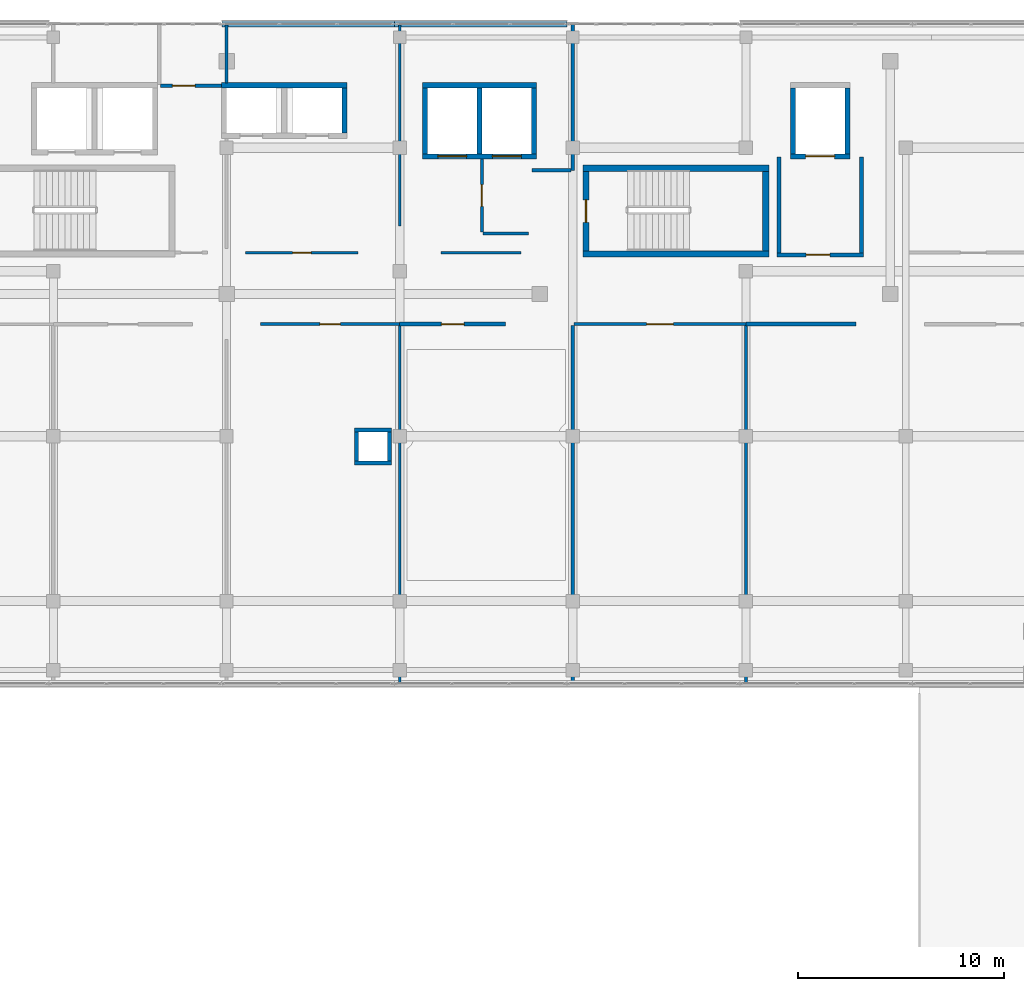
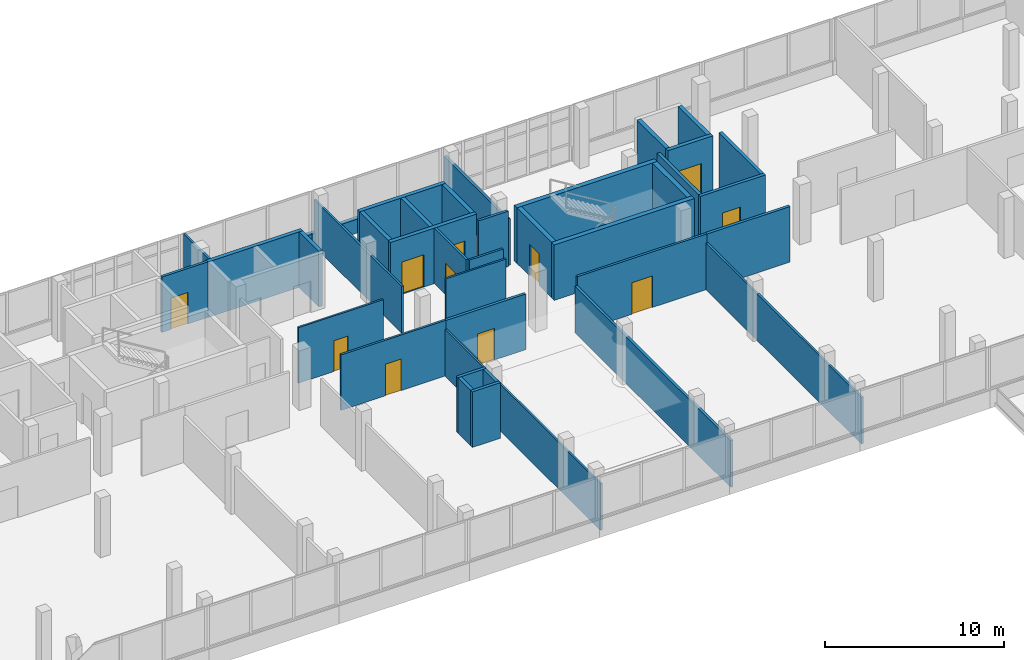
# One storey, part 69 of 76: 39 walls, 11 doors, 11 openings.
"""IFC4 building model written with IfcOpenShell, lengths in metres."""

from ifc_helpers import new_model, si_unit, direction, frame, frame_2d, origin, place, context, subcontext, project, spatial, rectangle, extrude, material, layer, layer_set, type_object, element, fill, save


model = new_model("IFC4")

# Units and contexts
model_context = context("Model", 3, precision=1e-05, world=origin(), true_north=direction((0.0, 1.0)))
body_context = subcontext(model_context, "Body", "Model", "MODEL_VIEW")
ifc_project = project(units=[si_unit("LENGTHUNIT", "METRE"), si_unit("AREAUNIT", "SQUARE_METRE"), si_unit("VOLUMEUNIT", "CUBIC_METRE"), si_unit("PLANEANGLEUNIT", "RADIAN"), si_unit("MASSUNIT", "GRAM", prefix="KILO")], contexts=[model_context])

# Site, building, storey
site_placement = place(None, origin())
site = spatial("IfcSite", under=ifc_project, at=site_placement, CompositionType="ELEMENT")
building_placement = place(site_placement, origin())
building = spatial("IfcBuilding", under=site, at=building_placement, Name="Selatvlak General Hospital", CompositionType="ELEMENT")
storey_placement = place(building_placement, frame((0.0, 0.0, 27.300048828125)))
storey = spatial("IfcBuildingStorey", under=building, at=storey_placement, Name="L06", CompositionType="ELEMENT", Elevation=27.300048828125)

# Walls
ifc_material_1 = material(Name="Precast concrete C40/50 - white Bauhaus spandrel", Category="concrete")
ifc_layer_1 = layer(ifc_material_1, 0.280029296875, Name="Precast concrete C40/50 - white Bauhaus spandrel", Category="concrete")
ifc_layer_set_1 = layer_set([ifc_layer_1], Name="Precast concrete C40/50 - white Bauhaus spandrel")
wall_type_1 = type_object("IfcWallType", Name="WALL-EW-02", PredefinedType="SOLIDWALL", material=ifc_layer_set_1)
for number, where, z_axis, x_axis, name in (
    (1, (114.969970703125, 120.0, 0.0), (0.0, 0.0, 1.0), (1.0, 0.0, 0.0), "L06 Bauhaus spandrel sill wall 0535"),
    (2, (123.34912109375, 120.0, 0.0), (0.0, 0.0, 1.0), (1.0, 0.0, 0.0), "L06 Bauhaus spandrel sill wall 0536"),
):
    element("IfcWall", number, at=place(storey_placement, frame(where, z_axis=z_axis, x_axis=x_axis)), inside=storey, type_object=wall_type_1, Name=name, PredefinedType="SOLIDWALL", context=body_context, shape_type="SweptSolid", body=[
        extrude(rectangle(XDim=8.375, YDim=0.280029296875, at=frame_2d((4.1875, 0.0))), origin(), (0.0, 0.0, 1.0), 0.93994140625),
    ])

# Wall, opening, door
ifc_material_2 = material(Name="Concrete C40/50", Category="concrete")
ifc_layer_2 = layer(ifc_material_2, 0.199951171875, Name="Concrete C40/50", Category="concrete")
ifc_layer_set_2 = layer_set([ifc_layer_2], Name="Concrete C40/50")
wall_type_2 = type_object("IfcWallType", Name="WALL-IW-02", PredefinedType="SOLIDWALL", material=ifc_layer_set_2)
wall_1_placement = place(storey_placement, frame((141.89990234375, 108.800048828125, 0.0), z_axis=(0.0, 0.0, 1.0), x_axis=(1.0, 0.0, 0.0)))
wall_1 = element("IfcWall", 3, at=wall_1_placement, inside=storey, type_object=wall_type_2, Name="Firefighting lobby C4 wall L06 S", PredefinedType="SOLIDWALL", context=body_context, shape_type="SweptSolid", body=[
    extrude(rectangle(XDim=4.2001953125, YDim=0.199951171875, at=frame_2d((2.10009765625, 0.0))), origin(), (0.0, 0.0, 1.0), 3.780029296875),
])
opening_1_placement = place(wall_1_placement, frame((1.425048828125, 0.0, 0.0)))
opening_1 = element("IfcOpeningElement", 4, at=opening_1_placement, cuts=wall_1, Name="Opening D-06", PredefinedType="OPENING", context=body_context, shape_type="SweptSolid", body=[
    extrude(rectangle(XDim=1.14990234375, YDim=2.14990234375, at=frame_2d((0.574951171875, 1.074951171875))), frame((0.0, 0.10986328125, 0.0), z_axis=(0.0, -1.0, 0.0), x_axis=(1.0, 0.0, 0.0)), (0.0, 0.0, 1.0), 0.219970703125),
])
ifc_material_3 = material(Name="Firefighting lobby fire door")
door_type_1 = type_object("IfcDoorType", Name="DOOR-D-06", OperationType="NOTDEFINED", PredefinedType="DOOR", material=ifc_material_3)
door_1_placement = place(opening_1_placement, origin())
door_1 = element("IfcDoor", 5, at=door_1_placement, inside=storey, type_object=door_type_1, Name="Firefighting lobby C4 door on L06", OperationType="SINGLE_SWING_RIGHT", OverallHeight=2.14990234375, OverallWidth=1.14990234375, PredefinedType="DOOR", context=body_context, shape_type="SweptSolid", body=[
    extrude(rectangle(XDim=1.14990234375, YDim=2.14990234375, at=frame_2d((0.574951171875, 1.074951171875))), frame((0.0, 0.02490234375, 0.0), z_axis=(0.0, -1.0, 0.0), x_axis=(1.0, 0.0, 0.0)), (0.0, 0.0, 1.0), 0.050048828125),
])
fill(opening_1, door_1)

# Walls
for number, where, z_axis, x_axis, name in (
    (6, (146.0, 108.89990234375, 0.0), (0.0, 0.0, 1.0), (0.0, 1.0, 0.0), "Firefighting lobby C4 wall L06 E"),
    (7, (142.0, 113.550048828125, 0.0), (0.0, 0.0, 1.0), (0.0, -1.0, 0.0), "Firefighting lobby C4 wall L06 W"),
):
    element("IfcWall", number, at=place(storey_placement, frame(where, z_axis=z_axis, x_axis=x_axis)), inside=storey, type_object=wall_type_2, Name=name, PredefinedType="SOLIDWALL", context=body_context, shape_type="SweptSolid", body=[
        extrude(rectangle(XDim=4.650146484375, YDim=0.199951171875, at=frame_2d((2.3251953125, 0.0))), origin(), (0.0, 0.0, 1.0), 3.780029296875),
    ])
wall_2_placement = place(storey_placement, frame((121.39990234375, 98.699951171875, 0.0), z_axis=(0.0, 0.0, 1.0), x_axis=(1.0, 0.0, 0.0)))
element("IfcWall", 8, at=wall_2_placement, inside=storey, type_object=wall_type_2, Name="Service riser 2 shaft wall L06 S", PredefinedType="SOLIDWALL", context=body_context, shape_type="SweptSolid", body=[
    extrude(rectangle(XDim=1.800048828125, YDim=0.199951171875, at=frame_2d((0.89990234375, 0.0))), origin(), (0.0, 0.0, 1.0), 3.780029296875),
])
wall_3_placement = place(storey_placement, frame((123.10009765625, 98.800048828125, 0.0), z_axis=(0.0, 0.0, 1.0), x_axis=(0.0, 1.0, 0.0)))
element("IfcWall", 9, at=wall_3_placement, inside=storey, type_object=wall_type_2, Name="Service riser 2 shaft wall L06 E", PredefinedType="SOLIDWALL", context=body_context, shape_type="SweptSolid", body=[
    extrude(rectangle(XDim=1.39990234375, YDim=0.199951171875, at=frame_2d((0.699951171875, 0.0))), origin(), (0.0, 0.0, 1.0), 3.780029296875),
])
wall_4_placement = place(storey_placement, frame((123.199951171875, 100.300048828125, 0.0), z_axis=(0.0, 0.0, 1.0), x_axis=(-1.0, 0.0, 0.0)))
element("IfcWall", 10, at=wall_4_placement, inside=storey, type_object=wall_type_2, Name="Service riser 2 shaft wall L06 N", PredefinedType="SOLIDWALL", context=body_context, shape_type="SweptSolid", body=[
    extrude(rectangle(XDim=1.800048828125, YDim=0.199951171875, at=frame_2d((0.89990234375, 0.0))), origin(), (0.0, 0.0, 1.0), 3.780029296875),
])
wall_5_placement = place(storey_placement, frame((121.5, 100.199951171875, 0.0), z_axis=(0.0, 0.0, 1.0), x_axis=(0.0, -1.0, 0.0)))
element("IfcWall", 11, at=wall_5_placement, inside=storey, type_object=wall_type_2, Name="Service riser 2 shaft wall L06 W", PredefinedType="SOLIDWALL", context=body_context, shape_type="SweptSolid", body=[
    extrude(rectangle(XDim=1.39990234375, YDim=0.199951171875, at=frame_2d((0.699951171875, 0.0))), origin(), (0.0, 0.0, 1.0), 3.780029296875),
])

# Wall, opening, door
ifc_material_4 = material(Name="Acoustic gypsum stud partition")
ifc_layer_3 = layer(ifc_material_4, 0.179931640625, Name="Acoustic gypsum stud partition")
ifc_layer_set_3 = layer_set([ifc_layer_3], Name="Acoustic gypsum stud partition")
wall_type_3 = type_object("IfcWallType", Name="WALL-PT-01", PredefinedType="PARTITIONING", material=ifc_layer_set_3)
wall_6_placement = place(storey_placement, frame((123.60009765625, 105.43994140625, 0.0), z_axis=(0.0, 0.0, 1.0), x_axis=(1.0, 0.0, 0.0)))
wall_6 = element("IfcWall", 12, at=wall_6_placement, inside=storey, type_object=wall_type_3, Name="L06 clinical partition PT-L06-2000", PredefinedType="PARTITIONING", context=body_context, shape_type="SweptSolid", body=[
    extrude(rectangle(XDim=5.143798828125, YDim=0.179931640625, at=frame_2d((2.57177734375, 0.0))), origin(), (0.0, 0.0, 1.0), 3.780029296875),
])
opening_2_placement = place(wall_6_placement, frame((2.02197265625, 0.0, 0.0)))
opening_2 = element("IfcOpeningElement", 13, at=opening_2_placement, cuts=wall_6, Name="Opening D-22", PredefinedType="OPENING", context=body_context, shape_type="SweptSolid", body=[
    extrude(rectangle(XDim=1.10009765625, YDim=2.14990234375, at=frame_2d((0.550048828125, 1.074951171875))), frame((0.0, 0.099853515625, 0.0), z_axis=(0.0, -1.0, 0.0), x_axis=(1.0, 0.0, 0.0)), (0.0, 0.0, 1.0), 0.199951171875),
])
ifc_material_5 = material(Name="Pharmacy security fire door")
door_type_2 = type_object("IfcDoorType", Name="DOOR-D-22", OperationType="NOTDEFINED", PredefinedType="DOOR", material=ifc_material_5)
door_2_placement = place(opening_2_placement, origin())
door_2 = element("IfcDoor", 14, at=door_2_placement, inside=storey, type_object=door_type_2, Name="L06 Cardiac Rehabilitation Room 11 door", OperationType="SINGLE_SWING_RIGHT", OverallHeight=2.14990234375, OverallWidth=1.10009765625, PredefinedType="DOOR", context=body_context, shape_type="SweptSolid", body=[
    extrude(rectangle(XDim=1.10009765625, YDim=2.14990234375, at=frame_2d((0.550048828125, 1.074951171875))), frame((0.0, 0.02490234375, 0.0), z_axis=(0.0, -1.0, 0.0), x_axis=(1.0, 0.0, 0.0)), (0.0, 0.0, 1.0), 0.050048828125),
])
fill(opening_2, door_2)

# Walls
wall_7_placement = place(storey_placement, frame((140.39990234375, 105.43994140625, 0.0), z_axis=(0.0, 0.0, 1.0), x_axis=(1.0, 0.0, 0.0)))
element("IfcWall", 15, at=wall_7_placement, inside=storey, type_object=wall_type_3, Name="L06 clinical partition PT-L06-2004", PredefinedType="PARTITIONING", context=body_context, shape_type="SweptSolid", body=[
    extrude(rectangle(XDim=5.343994140625, YDim=0.179931640625, at=frame_2d((2.671875, 0.0))), origin(), (0.0, 0.0, 1.0), 3.780029296875),
])
wall_8_placement = place(storey_placement, frame((132.0, 119.989013671875, 0.0), z_axis=(0.0, 0.0, 1.0), x_axis=(0.0, -1.0, 0.0)))
element("IfcWall", 16, at=wall_8_placement, inside=storey, type_object=wall_type_3, Name="L06 clinical partition PT-L06-2045", PredefinedType="PARTITIONING", context=body_context, shape_type="SweptSolid", body=[
    extrude(rectangle(XDim=7.089111328125, YDim=0.179931640625, at=frame_2d((3.54443359375, 0.0))), origin(), (0.0, 0.0, 1.0), 3.179931640625),
])
ifc_layer_4 = layer(ifc_material_4, 0.1650390625, Name="Acoustic gypsum stud partition")
ifc_layer_set_4 = layer_set([ifc_layer_4], Name="Acoustic gypsum stud partition")
wall_type_4 = type_object("IfcWallType", Name="WALL-PT-02", PredefinedType="PARTITIONING", material=ifc_layer_set_4)
wall_9_placement = place(storey_placement, frame((132.0, 105.3779296875, 0.0), z_axis=(0.0, 0.0, 1.0), x_axis=(0.0, -1.0, 0.0)))
element("IfcWall", 17, at=wall_9_placement, inside=storey, type_object=wall_type_4, Name="L06 clinical partition PT-L06-2001", PredefinedType="PARTITIONING", context=body_context, shape_type="SweptSolid", body=[
    extrude(rectangle(XDim=17.3349609375, YDim=0.1650390625, at=frame_2d((8.66748046875, 0.0))), origin(), (0.0, 0.0, 1.0), 3.179931640625),
])

# Wall, opening, door
wall_10_placement = place(storey_placement, frame((112.0, 117.0, 0.0), z_axis=(0.0, 0.0, 1.0), x_axis=(1.0, 0.0, 0.0)))
wall_10 = element("IfcWall", 18, at=wall_10_placement, inside=storey, type_object=wall_type_4, Name="L06 clinical partition PT-L06-2041", PredefinedType="PARTITIONING", context=body_context, shape_type="SweptSolid", body=[
    extrude(rectangle(XDim=2.949951171875, YDim=0.1650390625, at=frame_2d((1.47509765625, 0.0))), origin(), (0.0, 0.0, 1.0), 3.780029296875),
])
opening_3_placement = place(wall_10_placement, frame((0.571044921875, 0.0, 0.0)))
opening_3 = element("IfcOpeningElement", 19, at=opening_3_placement, cuts=wall_10, Name="Opening D-22", PredefinedType="OPENING", context=body_context, shape_type="SweptSolid", body=[
    extrude(rectangle(XDim=1.10009765625, YDim=2.14990234375, at=frame_2d((0.550048828125, 1.074951171875))), frame((0.0, 0.092529296875, 0.0), z_axis=(0.0, -1.0, 0.0), x_axis=(1.0, 0.0, 0.0)), (0.0, 0.0, 1.0), 0.18505859375),
])
door_3_placement = place(opening_3_placement, origin())
door_3 = element("IfcDoor", 20, at=door_3_placement, inside=storey, type_object=door_type_2, Name="L06 Patient En-Suite WC 25 door", OperationType="SINGLE_SWING_RIGHT", OverallHeight=2.14990234375, OverallWidth=1.10009765625, PredefinedType="DOOR", context=body_context, shape_type="SweptSolid", body=[
    extrude(rectangle(XDim=1.10009765625, YDim=2.14990234375, at=frame_2d((0.550048828125, 1.074951171875))), frame((0.0, 0.02490234375, 0.0), z_axis=(0.0, -1.0, 0.0), x_axis=(1.0, 0.0, 0.0)), (0.0, 0.0, 1.0), 0.050048828125),
])
fill(opening_3, door_3)

# Wall
wall_11_placement = place(storey_placement, frame((131.9140625, 112.89990234375, 0.0), z_axis=(0.0, 0.0, 1.0), x_axis=(-1.0, 0.0, 0.0)))
element("IfcWall", 21, at=wall_11_placement, inside=storey, type_object=wall_type_4, Name="L06 clinical partition PT-L06-2046", PredefinedType="PARTITIONING", context=body_context, shape_type="SweptSolid", body=[
    extrude(rectangle(XDim=1.904052734375, YDim=0.1650390625, at=frame_2d((0.9521484375, 0.0))), origin(), (0.0, 0.0, 1.0), 3.780029296875),
])

# Wall, opening, door
ifc_layer_5 = layer(ifc_material_4, 0.14990234375, Name="Acoustic gypsum stud partition")
ifc_layer_set_5 = layer_set([ifc_layer_5], Name="Acoustic gypsum stud partition")
wall_type_5 = type_object("IfcWallType", Name="WALL-PT-03", PredefinedType="PARTITIONING", material=ifc_layer_set_5)
wall_12_placement = place(storey_placement, frame((132.055908203125, 105.43994140625, 0.0), z_axis=(0.0, 0.0, 1.0), x_axis=(1.0, 0.0, 0.0)))
wall_12 = element("IfcWall", 22, at=wall_12_placement, inside=storey, type_object=wall_type_5, Name="L06 clinical partition PT-L06-2002", PredefinedType="PARTITIONING", context=body_context, shape_type="SweptSolid", body=[
    extrude(rectangle(XDim=8.343994140625, YDim=0.14990234375, at=frame_2d((4.171875, 0.0))), origin(), (0.0, 0.0, 1.0), 3.780029296875),
])
opening_4_placement = place(wall_12_placement, frame((3.52197265625, 0.0, 0.0)))
opening_4 = element("IfcOpeningElement", 23, at=opening_4_placement, cuts=wall_12, Name="Opening D-24", PredefinedType="OPENING", context=body_context, shape_type="SweptSolid", body=[
    extrude(rectangle(XDim=1.300048828125, YDim=2.14990234375, at=frame_2d((0.64990234375, 1.074951171875))), frame((0.0, 0.0849609375, 0.0), z_axis=(0.0, -1.0, 0.0), x_axis=(1.0, 0.0, 0.0)), (0.0, 0.0, 1.0), 0.169921875),
])
ifc_material_6 = material(Name="Oncology bay door")
door_type_3 = type_object("IfcDoorType", Name="DOOR-D-24", OperationType="NOTDEFINED", PredefinedType="DOOR", material=ifc_material_6)
door_4_placement = place(opening_4_placement, origin())
door_4 = element("IfcDoor", 24, at=door_4_placement, inside=storey, type_object=door_type_3, Name="L06 Telemetry Nurse Monitoring Room 12 door", OperationType="SINGLE_SWING_LEFT", OverallHeight=2.14990234375, OverallWidth=1.300048828125, PredefinedType="DOOR", context=body_context, shape_type="SweptSolid", body=[
    extrude(rectangle(XDim=1.300048828125, YDim=2.14990234375, at=frame_2d((0.64990234375, 1.074951171875))), frame((0.0, 0.02490234375, 0.0), z_axis=(0.0, -1.0, 0.0), x_axis=(1.0, 0.0, 0.0)), (0.0, 0.0, 1.0), 0.050048828125),
])
fill(opening_4, door_4)

wall_13_placement = place(storey_placement, frame((127.590087890625, 113.452880859375, 0.0), z_axis=(0.0, 0.0, 1.0), x_axis=(0.0, -1.0, 0.0)))
wall_13 = element("IfcWall", 25, at=wall_13_placement, inside=storey, type_object=wall_type_5, Name="L06 clinical partition PT-L06-2047", PredefinedType="PARTITIONING", context=body_context, shape_type="SweptSolid", body=[
    extrude(rectangle(XDim=3.552978515625, YDim=0.14990234375, at=frame_2d((1.7763671875, 0.0))), origin(), (0.0, 0.0, 1.0), 3.780029296875),
])
opening_5_placement = place(wall_13_placement, frame((1.2509765625, 0.0, 0.0)))
opening_5 = element("IfcOpeningElement", 26, at=opening_5_placement, cuts=wall_13, Name="Opening D-04", PredefinedType="OPENING", context=body_context, shape_type="SweptSolid", body=[
    extrude(rectangle(XDim=1.050048828125, YDim=2.14990234375, at=frame_2d((0.52490234375, 1.074951171875))), frame((0.0, 0.0849609375, 0.0), z_axis=(0.0, -1.0, 0.0), x_axis=(1.0, 0.0, 0.0)), (0.0, 0.0, 1.0), 0.169921875),
])
ifc_material_7 = material(Name="Consultation room door")
door_type_4 = type_object("IfcDoorType", Name="DOOR-D-04", OperationType="NOTDEFINED", PredefinedType="DOOR", material=ifc_material_7)
door_5_placement = place(opening_5_placement, origin())
door_5 = element("IfcDoor", 27, at=door_5_placement, inside=storey, type_object=door_type_4, Name="L06 Acute Stroke Inpatient Ward 27 door", OperationType="SINGLE_SWING_RIGHT", OverallHeight=2.14990234375, OverallWidth=1.050048828125, PredefinedType="DOOR", context=body_context, shape_type="SweptSolid", body=[
    extrude(rectangle(XDim=1.050048828125, YDim=2.14990234375, at=frame_2d((0.52490234375, 1.074951171875))), frame((0.0, 0.02490234375, 0.0), z_axis=(0.0, -1.0, 0.0), x_axis=(1.0, 0.0, 0.0)), (0.0, 0.0, 1.0), 0.050048828125),
])
fill(opening_5, door_5)

ifc_material_8 = material(Name="Moisture-resistant clinical partition")
ifc_layer_6 = layer(ifc_material_8, 0.135009765625, Name="Moisture-resistant clinical partition")
ifc_layer_set_6 = layer_set([ifc_layer_6], Name="Moisture-resistant clinical partition")
wall_type_6 = type_object("IfcWallType", Name="WALL-PT-04", PredefinedType="PARTITIONING", material=ifc_layer_set_6)
wall_14_placement = place(storey_placement, frame((116.85595703125, 105.43994140625, 0.0), z_axis=(0.0, 0.0, 1.0), x_axis=(1.0, 0.0, 0.0)))
wall_14 = element("IfcWall", 28, at=wall_14_placement, inside=storey, type_object=wall_type_6, Name="L06 clinical partition PT-L06-1998", PredefinedType="PARTITIONING", context=body_context, shape_type="SweptSolid", body=[
    extrude(rectangle(XDim=6.744140625, YDim=0.135009765625, at=frame_2d((3.3720703125, 0.0))), origin(), (0.0, 0.0, 1.0), 3.780029296875),
])
opening_6_placement = place(wall_14_placement, frame((2.8720703125, 0.0, 0.0)))
opening_6 = element("IfcOpeningElement", 29, at=opening_6_placement, cuts=wall_14, Name="Opening D-21", PredefinedType="OPENING", context=body_context, shape_type="SweptSolid", body=[
    extrude(rectangle(XDim=1.0, YDim=2.14990234375, at=frame_2d((0.5, 1.074951171875))), frame((0.0, 0.077392578125, 0.0), z_axis=(0.0, -1.0, 0.0), x_axis=(1.0, 0.0, 0.0)), (0.0, 0.0, 1.0), 0.155029296875),
])
ifc_material_9 = material(Name="Laboratory fire door")
door_type_5 = type_object("IfcDoorType", Name="DOOR-D-21", OperationType="NOTDEFINED", PredefinedType="DOOR", material=ifc_material_9)
door_6_placement = place(opening_6_placement, origin())
door_6 = element("IfcDoor", 30, at=door_6_placement, inside=storey, type_object=door_type_5, Name="L06 Neurology Diagnostic Room 10 door", OperationType="SINGLE_SWING_LEFT", OverallHeight=2.14990234375, OverallWidth=1.0, PredefinedType="DOOR", context=body_context, shape_type="SweptSolid", body=[
    extrude(rectangle(XDim=1.0, YDim=2.14990234375, at=frame_2d((0.5, 1.074951171875))), frame((0.0, 0.02490234375, 0.0), z_axis=(0.0, -1.0, 0.0), x_axis=(1.0, 0.0, 0.0)), (0.0, 0.0, 1.0), 0.050048828125),
])
fill(opening_6, door_6)

# Walls
wall_15_placement = place(storey_placement, frame((140.39990234375, 105.368896484375, 0.0), z_axis=(0.0, 0.0, 1.0), x_axis=(0.0, -1.0, 0.0)))
element("IfcWall", 31, at=wall_15_placement, inside=storey, type_object=wall_type_6, Name="L06 clinical partition PT-L06-2003", PredefinedType="PARTITIONING", context=body_context, shape_type="SweptSolid", body=[
    extrude(rectangle(XDim=17.325927734375, YDim=0.135009765625, at=frame_2d((8.6630859375, 0.0))), origin(), (0.0, 0.0, 1.0), 3.179931640625),
])
wall_16_placement = place(storey_placement, frame((115.199951171875, 119.9580078125, 0.0), z_axis=(0.0, 0.0, 1.0), x_axis=(0.0, -1.0, 0.0)))
element("IfcWall", 32, at=wall_16_placement, inside=storey, type_object=wall_type_6, Name="L06 clinical partition PT-L06-2042", PredefinedType="PARTITIONING", context=body_context, shape_type="SweptSolid", body=[
    extrude(rectangle(XDim=2.81103515625, YDim=0.135009765625, at=frame_2d((1.405517578125, 0.0))), origin(), (0.0, 0.0, 1.0), 3.780029296875),
])
wall_17_placement = place(storey_placement, frame((123.60009765625, 119.9580078125, 0.0), z_axis=(0.0, 0.0, 1.0), x_axis=(0.0, -1.0, 0.0)))
element("IfcWall", 33, at=wall_17_placement, inside=storey, type_object=wall_type_6, Name="L06 clinical partition PT-L06-2043", PredefinedType="PARTITIONING", context=body_context, shape_type="SweptSolid", body=[
    extrude(rectangle(XDim=9.748046875, YDim=0.135009765625, at=frame_2d((4.8740234375, 0.0))), origin(), (0.0, 0.0, 1.0), 3.179931640625),
])
wall_18_placement = place(storey_placement, frame((127.64990234375, 109.840087890625, 0.0), z_axis=(0.0, 0.0, 1.0), x_axis=(1.0, 0.0, 0.0)))
element("IfcWall", 34, at=wall_18_placement, inside=storey, type_object=wall_type_6, Name="L06 clinical partition PT-L06-2048", PredefinedType="PARTITIONING", context=body_context, shape_type="SweptSolid", body=[
    extrude(rectangle(XDim=2.190185546875, YDim=0.135009765625, at=frame_2d((1.09521484375, 0.0))), origin(), (0.0, 0.0, 1.0), 3.780029296875),
])
ifc_layer_7 = layer(ifc_material_8, 0.1201171875, Name="Moisture-resistant clinical partition")
ifc_layer_set_7 = layer_set([ifc_layer_7], Name="Moisture-resistant clinical partition")
wall_type_7 = type_object("IfcWallType", Name="WALL-PT-05", PredefinedType="PARTITIONING", material=ifc_layer_set_7)
wall_19_placement = place(storey_placement, frame((123.60009765625, 105.3759765625, 0.0), z_axis=(0.0, 0.0, 1.0), x_axis=(0.0, -1.0, 0.0)))
element("IfcWall", 35, at=wall_19_placement, inside=storey, type_object=wall_type_7, Name="L06 clinical partition PT-L06-1999", PredefinedType="PARTITIONING", context=body_context, shape_type="SweptSolid", body=[
    extrude(rectangle(XDim=17.3330078125, YDim=0.1201171875, at=frame_2d((8.66650390625, 0.0))), origin(), (0.0, 0.0, 1.0), 3.179931640625),
])

# Wall, opening, door
wall_20_placement = place(storey_placement, frame((121.589111328125, 108.909912109375, 0.0), z_axis=(0.0, 0.0, 1.0), x_axis=(-1.0, 0.0, 0.0)))
wall_20 = element("IfcWall", 36, at=wall_20_placement, inside=storey, type_object=wall_type_7, Name="L06 clinical partition PT-L06-2044", PredefinedType="PARTITIONING", context=body_context, shape_type="SweptSolid", body=[
    extrude(rectangle(XDim=5.47607421875, YDim=0.1201171875, at=frame_2d((2.738037109375, 0.0))), origin(), (0.0, 0.0, 1.0), 3.780029296875),
])
opening_7_placement = place(wall_20_placement, frame((2.2880859375, 0.0, 0.0)))
opening_7 = element("IfcOpeningElement", 37, at=opening_7_placement, cuts=wall_20, Name="Opening D-01", PredefinedType="OPENING", context=body_context, shape_type="SweptSolid", body=[
    extrude(rectangle(XDim=0.89990234375, YDim=2.10009765625, at=frame_2d((0.449951171875, 1.050048828125))), frame((0.0, 0.070068359375, 0.0), z_axis=(0.0, -1.0, 0.0), x_axis=(1.0, 0.0, 0.0)), (0.0, 0.0, 1.0), 0.14013671875),
])
ifc_material_10 = material(Name="Hardwood clinical room door", Category="wood")
door_type_6 = type_object("IfcDoorType", Name="DOOR-D-01", OperationType="NOTDEFINED", PredefinedType="DOOR", material=ifc_material_10)
door_7_placement = place(opening_7_placement, origin())
door_7 = element("IfcDoor", 38, at=door_7_placement, inside=storey, type_object=door_type_6, Name="L06 Coronary Care Unit Bay 26 door", OperationType="SINGLE_SWING_LEFT", OverallHeight=2.10009765625, OverallWidth=0.89990234375, PredefinedType="DOOR", context=body_context, shape_type="SweptSolid", body=[
    extrude(rectangle(XDim=0.89990234375, YDim=2.10009765625, at=frame_2d((0.449951171875, 1.050048828125))), frame((0.0, 0.02490234375, 0.0), z_axis=(0.0, -1.0, 0.0), x_axis=(1.0, 0.0, 0.0)), (0.0, 0.0, 1.0), 0.050048828125),
])
fill(opening_7, door_7)

# Walls
wall_21_placement = place(storey_placement, frame((129.487060546875, 108.909912109375, 0.0), z_axis=(0.0, 0.0, 1.0), x_axis=(-1.0, 0.0, 0.0)))
element("IfcWall", 39, at=wall_21_placement, inside=storey, type_object=wall_type_7, Name="L06 clinical partition PT-L06-2049", PredefinedType="PARTITIONING", context=body_context, shape_type="SweptSolid", body=[
    extrude(rectangle(XDim=3.8759765625, YDim=0.1201171875, at=frame_2d((1.93798828125, 0.0))), origin(), (0.0, 0.0, 1.0), 3.780029296875),
])
ifc_material_11 = material(Name="Concrete C45/55", Category="concrete")
ifc_layer_8 = layer(ifc_material_11, 0.300048828125, Name="Concrete C45/55", Category="concrete")
ifc_layer_set_8 = layer_set([ifc_layer_8], Name="Concrete C45/55")
wall_type_8 = type_object("IfcWallType", Name="WALL-SW-02", PredefinedType="SHEAR", material=ifc_layer_set_8)
wall_22_placement = place(storey_placement, frame((132.489990234375, 108.840087890625, 0.0), z_axis=(0.0, 0.0, 1.0), x_axis=(1.0, 0.0, 0.0)))
element("IfcWall", 40, at=wall_22_placement, inside=storey, type_object=wall_type_8, Name="ST-04 core shear wall L06 S", PredefinedType="SHEAR", context=body_context, shape_type="SweptSolid", body=[
    extrude(rectangle(XDim=9.02001953125, YDim=0.300048828125, at=frame_2d((4.510009765625, 0.0))), origin(), (0.0, 0.0, 1.0), 3.780029296875),
])
wall_23_placement = place(storey_placement, frame((141.360107421875, 108.989990234375, 0.0), z_axis=(0.0, 0.0, 1.0), x_axis=(0.0, 1.0, 0.0)))
element("IfcWall", 41, at=wall_23_placement, inside=storey, type_object=wall_type_8, Name="ST-04 core shear wall L06 E", PredefinedType="SHEAR", context=body_context, shape_type="SweptSolid", body=[
    extrude(rectangle(XDim=3.860107421875, YDim=0.300048828125, at=frame_2d((1.93017578125, 0.0))), origin(), (0.0, 0.0, 1.0), 3.780029296875),
])
wall_24_placement = place(storey_placement, frame((141.510009765625, 113.0, 0.0), z_axis=(0.0, 0.0, 1.0), x_axis=(-1.0, 0.0, 0.0)))
element("IfcWall", 42, at=wall_24_placement, inside=storey, type_object=wall_type_8, Name="ST-04 core shear wall L06 N", PredefinedType="SHEAR", context=body_context, shape_type="SweptSolid", body=[
    extrude(rectangle(XDim=9.02001953125, YDim=0.300048828125, at=frame_2d((4.510009765625, 0.0))), origin(), (0.0, 0.0, 1.0), 3.780029296875),
])

# Wall, opening, door
wall_25_placement = place(storey_placement, frame((132.639892578125, 112.85009765625, 0.0), z_axis=(0.0, 0.0, 1.0), x_axis=(0.0, -1.0, 0.0)))
wall_25 = element("IfcWall", 43, at=wall_25_placement, inside=storey, type_object=wall_type_8, Name="ST-04 core shear wall L06 W", PredefinedType="SHEAR", context=body_context, shape_type="SweptSolid", body=[
    extrude(rectangle(XDim=3.860107421875, YDim=0.300048828125, at=frame_2d((1.93017578125, 0.0))), origin(), (0.0, 0.0, 1.0), 3.780029296875),
])
opening_8_placement = place(wall_25_placement, frame((1.3798828125, 0.0, 0.0)))
opening_8 = element("IfcOpeningElement", 44, at=opening_8_placement, cuts=wall_25, Name="Opening D-05", PredefinedType="OPENING", context=body_context, shape_type="SweptSolid", body=[
    extrude(rectangle(XDim=1.10009765625, YDim=2.14990234375, at=frame_2d((0.550048828125, 1.074951171875))), frame((0.0, 0.159912109375, 0.0), z_axis=(0.0, -1.0, 0.0), x_axis=(1.0, 0.0, 0.0)), (0.0, 0.0, 1.0), 0.320068359375),
])
ifc_material_12 = material(Name="Protected stair fire door")
door_type_7 = type_object("IfcDoorType", Name="DOOR-D-05", OperationType="NOTDEFINED", PredefinedType="DOOR", material=ifc_material_12)
door_8_placement = place(opening_8_placement, origin())
door_8 = element("IfcDoor", 45, at=door_8_placement, inside=storey, type_object=door_type_7, Name="ST-04 protected stair door on L06", OperationType="SINGLE_SWING_LEFT", OverallHeight=2.14990234375, OverallWidth=1.10009765625, PredefinedType="DOOR", context=body_context, shape_type="SweptSolid", body=[
    extrude(rectangle(XDim=1.10009765625, YDim=2.14990234375, at=frame_2d((0.550048828125, 1.074951171875))), frame((0.0, 0.02490234375, 0.0), z_axis=(0.0, -1.0, 0.0), x_axis=(1.0, 0.0, 0.0)), (0.0, 0.0, 1.0), 0.050048828125),
])
fill(opening_8, door_8)

# Wall, openings, doors
ifc_layer_9 = layer(ifc_material_2, 0.25, Name="Concrete C40/50", Category="concrete")
ifc_layer_set_9 = layer_set([ifc_layer_9], Name="Concrete C40/50")
wall_type_9 = type_object("IfcWallType", Name="WALL-SW-03", PredefinedType="SHEAR", material=ifc_layer_set_9)
wall_26_placement = place(storey_placement, frame((124.699951171875, 113.574951171875, 0.0), z_axis=(0.0, 0.0, 1.0), x_axis=(1.0, 0.0, 0.0)))
wall_26 = element("IfcWall", 46, at=wall_26_placement, inside=storey, type_object=wall_type_9, Name="Lift LB-03-LB-04 shaft wall L06 S", PredefinedType="SHEAR", context=body_context, shape_type="SweptSolid", body=[
    extrude(rectangle(XDim=5.550048828125, YDim=0.25, at=frame_2d((2.77490234375, 0.0))), origin(), (0.0, 0.0, 1.0), 3.780029296875),
])
opening_9_placement = place(wall_26_placement, frame((0.75, 0.0, 0.0)))
opening_9 = element("IfcOpeningElement", 47, at=opening_9_placement, cuts=wall_26, Name="Opening LD-B1", PredefinedType="OPENING", context=body_context, shape_type="SweptSolid", body=[
    extrude(rectangle(XDim=1.39990234375, YDim=2.199951171875, at=frame_2d((0.699951171875, 1.10009765625))), frame((0.0, 0.135009765625, 0.0), z_axis=(0.0, -1.0, 0.0), x_axis=(1.0, 0.0, 0.0)), (0.0, 0.0, 1.0), 0.27001953125),
])
opening_10_placement = place(wall_26_placement, frame((3.39990234375, 0.0, 0.0)))
opening_10 = element("IfcOpeningElement", 48, at=opening_10_placement, cuts=wall_26, Name="Opening LD-B1", PredefinedType="OPENING", context=body_context, shape_type="SweptSolid", body=[
    extrude(rectangle(XDim=1.39990234375, YDim=2.199951171875, at=frame_2d((0.699951171875, 1.10009765625))), frame((0.0, 0.135009765625, 0.0), z_axis=(0.0, -1.0, 0.0), x_axis=(1.0, 0.0, 0.0)), (0.0, 0.0, 1.0), 0.27001953125),
])
ifc_material_13 = material(Name="Stainless steel stretcher lift landing door", Category="steel")
door_type_8 = type_object("IfcDoorType", Name="DOOR-LD-B1", OperationType="DOUBLE_DOOR_SLIDING", PredefinedType="DOOR", material=ifc_material_13)
door_9_placement = place(opening_9_placement, origin())
door_9 = element("IfcDoor", 49, at=door_9_placement, inside=storey, type_object=door_type_8, Name="Lift LB-03 sliding landing door on L06", OperationType="DOUBLE_DOOR_SLIDING", OverallHeight=2.199951171875, OverallWidth=1.39990234375, PredefinedType="DOOR", context=body_context, shape_type="SweptSolid", body=[
    extrude(rectangle(XDim=1.39990234375, YDim=2.199951171875, at=frame_2d((0.699951171875, 1.10009765625))), frame((0.0, 0.02490234375, 0.0), z_axis=(0.0, -1.0, 0.0), x_axis=(1.0, 0.0, 0.0)), (0.0, 0.0, 1.0), 0.050048828125),
])
fill(opening_9, door_9)
door_10_placement = place(opening_10_placement, origin())
door_10 = element("IfcDoor", 50, at=door_10_placement, inside=storey, type_object=door_type_8, Name="Lift LB-04 sliding landing door on L06", OperationType="DOUBLE_DOOR_SLIDING", OverallHeight=2.199951171875, OverallWidth=1.39990234375, PredefinedType="DOOR", context=body_context, shape_type="SweptSolid", body=[
    extrude(rectangle(XDim=1.39990234375, YDim=2.199951171875, at=frame_2d((0.699951171875, 1.10009765625))), frame((0.0, 0.02490234375, 0.0), z_axis=(0.0, -1.0, 0.0), x_axis=(1.0, 0.0, 0.0)), (0.0, 0.0, 1.0), 0.050048828125),
])
fill(opening_10, door_10)

# Walls
wall_27_placement = place(storey_placement, frame((130.125, 113.699951171875, 0.0), z_axis=(0.0, 0.0, 1.0), x_axis=(0.0, 1.0, 0.0)))
element("IfcWall", 51, at=wall_27_placement, inside=storey, type_object=wall_type_9, Name="Lift LB-03-LB-04 shaft wall L06 E", PredefinedType="SHEAR", context=body_context, shape_type="SweptSolid", body=[
    extrude(rectangle(XDim=3.199951171875, YDim=0.25, at=frame_2d((1.60009765625, 0.0))), origin(), (0.0, 0.0, 1.0), 3.780029296875),
])
wall_28_placement = place(storey_placement, frame((130.25, 117.02490234375, 0.0), z_axis=(0.0, 0.0, 1.0), x_axis=(-1.0, 0.0, 0.0)))
element("IfcWall", 52, at=wall_28_placement, inside=storey, type_object=wall_type_9, Name="Lift LB-03-LB-04 shaft wall L06 N", PredefinedType="SHEAR", context=body_context, shape_type="SweptSolid", body=[
    extrude(rectangle(XDim=5.550048828125, YDim=0.25, at=frame_2d((2.77490234375, 0.0))), origin(), (0.0, 0.0, 1.0), 3.780029296875),
])
for number, where, z_axis, x_axis, name in (
    (53, (124.824951171875, 116.89990234375, 0.0), (0.0, 0.0, 1.0), (0.0, -1.0, 0.0), "Lift LB-03-LB-04 shaft wall L06 W"),
    (54, (127.47509765625, 113.699951171875, 0.0), (0.0, 0.0, 1.0), (0.0, 1.0, 0.0), "Lift LB-03-LB-04 dividing shaft wall L06"),
):
    element("IfcWall", number, at=place(storey_placement, frame(where, z_axis=z_axis, x_axis=x_axis)), inside=storey, type_object=wall_type_9, Name=name, PredefinedType="SHEAR", context=body_context, shape_type="SweptSolid", body=[
        extrude(rectangle(XDim=3.199951171875, YDim=0.25, at=frame_2d((1.60009765625, 0.0))), origin(), (0.0, 0.0, 1.0), 3.780029296875),
    ])

# Wall, opening, door
wall_29_placement = place(storey_placement, frame((142.550048828125, 113.574951171875, 0.0), z_axis=(0.0, 0.0, 1.0), x_axis=(1.0, 0.0, 0.0)))
wall_29 = element("IfcWall", 55, at=wall_29_placement, inside=storey, type_object=wall_type_9, Name="Lift LF-03 shaft wall L06 S", PredefinedType="SHEAR", context=body_context, shape_type="SweptSolid", body=[
    extrude(rectangle(XDim=2.89990234375, YDim=0.25, at=frame_2d((1.449951171875, 0.0))), origin(), (0.0, 0.0, 1.0), 3.780029296875),
])
opening_11_placement = place(wall_29_placement, frame((0.75, 0.0, 0.0)))
opening_11 = element("IfcOpeningElement", 56, at=opening_11_placement, cuts=wall_29, Name="Opening LD-F1", PredefinedType="OPENING", context=body_context, shape_type="SweptSolid", body=[
    extrude(rectangle(XDim=1.39990234375, YDim=2.14990234375, at=frame_2d((0.699951171875, 1.074951171875))), frame((0.0, 0.135009765625, 0.0), z_axis=(0.0, -1.0, 0.0), x_axis=(1.0, 0.0, 0.0)), (0.0, 0.0, 1.0), 0.27001953125),
])
ifc_material_14 = material(Name="Stainless steel fire lift landing door", Category="steel")
door_type_9 = type_object("IfcDoorType", Name="DOOR-LD-F1", OperationType="DOUBLE_DOOR_SLIDING", PredefinedType="DOOR", material=ifc_material_14)
door_11_placement = place(opening_11_placement, origin())
door_11 = element("IfcDoor", 57, at=door_11_placement, inside=storey, type_object=door_type_9, Name="Lift LF-03 sliding landing door on L06", OperationType="DOUBLE_DOOR_SLIDING", OverallHeight=2.14990234375, OverallWidth=1.39990234375, PredefinedType="DOOR", context=body_context, shape_type="SweptSolid", body=[
    extrude(rectangle(XDim=1.39990234375, YDim=2.14990234375, at=frame_2d((0.699951171875, 1.074951171875))), frame((0.0, 0.02490234375, 0.0), z_axis=(0.0, -1.0, 0.0), x_axis=(1.0, 0.0, 0.0)), (0.0, 0.0, 1.0), 0.050048828125),
])
fill(opening_11, door_11)

# Walls
for number, where, z_axis, x_axis, name in (
    (58, (145.324951171875, 113.699951171875, 0.0), (0.0, 0.0, 1.0), (0.0, 1.0, 0.0), "Lift LF-03 shaft wall L06 E"),
    (59, (142.675048828125, 116.89990234375, 0.0), (0.0, 0.0, 1.0), (0.0, -1.0, 0.0), "Lift LF-03 shaft wall L06 W"),
):
    element("IfcWall", number, at=place(storey_placement, frame(where, z_axis=z_axis, x_axis=x_axis)), inside=storey, type_object=wall_type_9, Name=name, PredefinedType="SHEAR", context=body_context, shape_type="SweptSolid", body=[
        extrude(rectangle(XDim=3.199951171875, YDim=0.25, at=frame_2d((1.60009765625, 0.0))), origin(), (0.0, 0.0, 1.0), 3.780029296875),
    ])
wall_30_placement = place(storey_placement, frame((120.925048828125, 114.699951171875, 0.0), z_axis=(0.0, 0.0, 1.0), x_axis=(0.0, 1.0, 0.0)))
element("IfcWall", 60, at=wall_30_placement, inside=storey, type_object=wall_type_9, Name="Lift LP-05-LP-06 shaft wall L06 E", PredefinedType="SHEAR", context=body_context, shape_type="SweptSolid", body=[
    extrude(rectangle(XDim=2.199951171875, YDim=0.25, at=frame_2d((1.10009765625, 0.0))), origin(), (0.0, 0.0, 1.0), 3.780029296875),
])
wall_31_placement = place(storey_placement, frame((121.050048828125, 117.02490234375, 0.0), z_axis=(0.0, 0.0, 1.0), x_axis=(-1.0, 0.0, 0.0)))
element("IfcWall", 61, at=wall_31_placement, inside=storey, type_object=wall_type_9, Name="Lift LP-05-LP-06 shaft wall L06 N", PredefinedType="SHEAR", context=body_context, shape_type="SweptSolid", body=[
    extrude(rectangle(XDim=6.10009765625, YDim=0.25, at=frame_2d((3.050048828125, 0.0))), origin(), (0.0, 0.0, 1.0), 3.780029296875),
])

save(model, "model.ifc")
